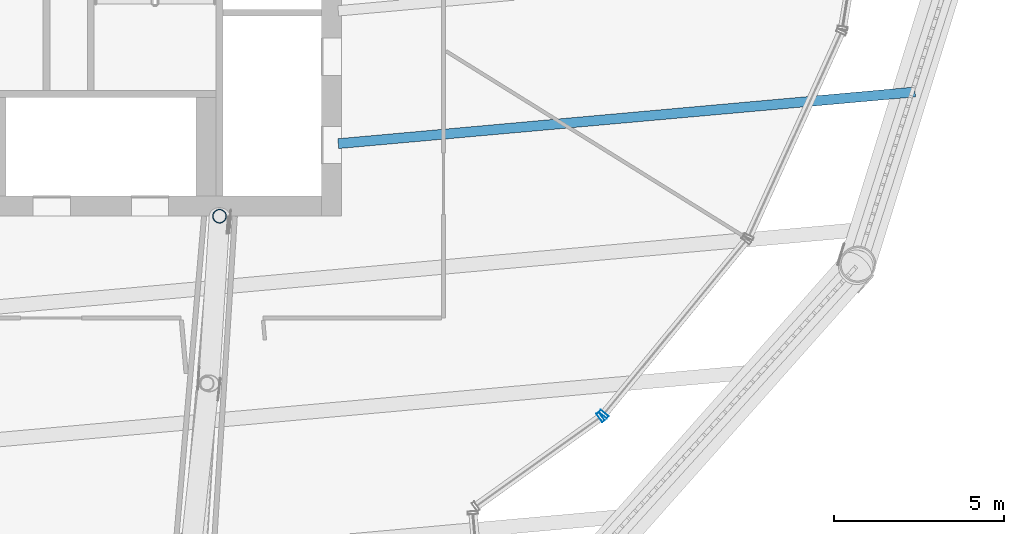
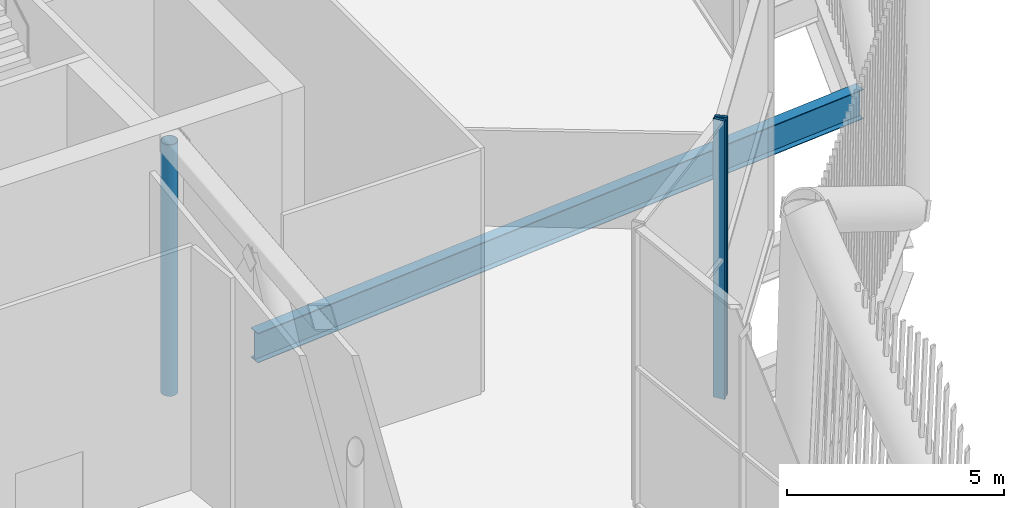
# One storey, part 16 of 55: 3 members, 1 beam, 2 elements without a shape of their own.
"""IFC4 building model written with IfcOpenShell, lengths in metres."""

from ifc_helpers import new_model, si_unit, direction, frame, origin, origin_2d, place, context, subcontext, project, spatial, hollow_rectangle, hollow_circle, i_section, extrude, material, layer, layer_set, material_profile, profile_set, type_object, element, aggregate, save


model = new_model("IFC4")

# Units and contexts
model_context = context("Model", 3, precision=1e-05, world=origin(), true_north=direction((0.0, 1.0)))
body_context = subcontext(model_context, "Body", "Model", "MODEL_VIEW")
ifc_project = project(units=[si_unit("LENGTHUNIT", "METRE"), si_unit("AREAUNIT", "SQUARE_METRE"), si_unit("VOLUMEUNIT", "CUBIC_METRE"), si_unit("PLANEANGLEUNIT", "RADIAN"), si_unit("MASSUNIT", "GRAM", prefix="KILO")], contexts=[model_context])

# Site, building, storey
site_placement = place(None, origin())
site = spatial("IfcSite", under=ifc_project, at=site_placement, CompositionType="ELEMENT")
building_placement = place(site_placement, origin())
building = spatial("IfcBuilding", under=site, at=building_placement, Name="Tarsis Ring Headquarters", CompositionType="ELEMENT")
storey_placement = place(building_placement, frame((0.0, 0.0, 247.199951171875)))
storey = spatial("IfcBuildingStorey", under=building, at=storey_placement, Name="L58", CompositionType="ELEMENT", Elevation=247.199951171875)

# Curtain wall, member
ifc_material_1 = material(Name="Aluminium curtain wall", Category="aluminium")
ifc_layer = layer(ifc_material_1, 0.300048828125)
ifc_layer_set = layer_set([ifc_layer], Name="Curtain wall upper sky lobby")
curtain_wall_type = type_object("IfcCurtainWallType", Name="Curtain wall upper sky lobby", PredefinedType="NOTDEFINED", material=ifc_layer_set)
curtain_wall_1_placement = place(storey_placement, origin())
curtain_wall_1 = element("IfcCurtainWall", 1, at=curtain_wall_1_placement, inside=storey, type_object=curtain_wall_type, Name="Curtain wall L58-17", PredefinedType="NOTDEFINED")
ifc_material_2 = material(Name="Aluminium mullion", Category="aluminium")
ifc_material_profile_1 = material_profile(ifc_material_2, hollow_rectangle(XDim=0.300048828125, YDim=0.090087890625, WallThickness=0.0048828125, at=origin_2d()), Name="RHS 300x90x5")
ifc_profile_set_1 = profile_set([ifc_material_profile_1], Name="Aluminium mullion")
member_type_1 = type_object("IfcMemberType", Name="Curtain wall mullion upper sky lobby RHS 300x90x5", PredefinedType="MULLION", material=ifc_profile_set_1)
member_1_placement = place(storey_placement, frame((17.635498046875, -18.921875, 0.0), z_axis=(0.0, 0.0, 1.0), x_axis=(-0.582406678092, 0.812897571231, 0.0)))
member_1 = element("IfcMember", 2, at=member_1_placement, type_object=member_type_1, Name="CW-U mullion 2", PredefinedType="MULLION", context=body_context, shape_type="SweptSolid", body=[
    extrude(hollow_rectangle(XDim=0.300048828125, YDim=0.090087890625, WallThickness=0.0048828125, at=origin_2d()), origin(), (0.0, 0.0, 1.0), 7.840087890625),
])
aggregate(curtain_wall_1, [member_1])

curtain_wall_2_placement = place(storey_placement, origin())
curtain_wall_2 = element("IfcCurtainWall", 3, at=curtain_wall_2_placement, inside=storey, type_object=curtain_wall_type, Name="Curtain wall L58-18", PredefinedType="NOTDEFINED")
member_2_placement = place(storey_placement, frame((17.724609375, -18.83837890625, 0.0), z_axis=(0.0, 0.0, 1.0), x_axis=(-0.772955112947, 0.634460710658, 0.0)))
member_2 = element("IfcMember", 4, at=member_2_placement, type_object=member_type_1, Name="CW-U mullion 1", PredefinedType="MULLION", context=body_context, shape_type="SweptSolid", body=[
    extrude(hollow_rectangle(XDim=0.300048828125, YDim=0.090087890625, WallThickness=0.0048828125, at=origin_2d()), origin(), (0.0, 0.0, 1.0), 7.840087890625),
])
aggregate(curtain_wall_2, [member_2])

# Beam
ifc_material_3 = material(Name="Structural steel S355", Category="steel")
ifc_material_profile_2 = material_profile(ifc_material_3, i_section(OverallWidth=0.2919921875, OverallDepth=0.835693359375, WebThickness=0.013916015625, FlangeThickness=0.018798828125, at=origin_2d()), Name="W33x118")
ifc_profile_set_2 = profile_set([ifc_material_profile_2], Name="Structural steel S355")
beam_type = type_object("IfcBeamType", Name="FB Floor beam W33x118", PredefinedType="JOIST", material=ifc_profile_set_2)
beam_placement = place(storey_placement, frame((9.900390625, -10.85986328125, -0.7177734375), z_axis=(0.996009452853, 0.089247800128, 0.0), x_axis=(-0.089247800128, 0.996009452853, 0.0)))
element("IfcBeam", 5, at=beam_placement, inside=storey, type_object=beam_type, Name="Floor beam FB7", PredefinedType="JOIST", context=body_context, shape_type="SweptSolid", body=[
    extrude(i_section(OverallWidth=0.2919921875, OverallDepth=0.835693359375, WebThickness=0.013916015625, FlangeThickness=0.018798828125, at=origin_2d()), origin(), (0.0, 0.0, 1.0), 17.0751953125),
])

# Member
ifc_material_profile_3 = material_profile(ifc_material_3, hollow_circle(Radius=0.203125, WallThickness=0.01611328125, at=origin_2d()), Name="CHS 406x16")
ifc_profile_set_3 = profile_set([ifc_material_profile_3], Name="Structural steel S355")
member_type_2 = type_object("IfcMemberType", Name="OV Outrigger post CHS 406x16", PredefinedType="STRUT", material=ifc_profile_set_3)
member_3_placement = place(storey_placement, frame((6.39990234375, -13.0, 0.508056640625), z_axis=(0.0, 0.0, 1.0), x_axis=(1.0, 0.0, 0.0)))
element("IfcMember", 6, at=member_3_placement, inside=storey, type_object=member_type_2, Name="Outrigger post OV1", PredefinedType="STRUT", context=body_context, shape_type="SweptSolid", body=[
    extrude(hollow_circle(Radius=0.203125, WallThickness=0.01611328125, at=origin_2d()), origin(), (0.0, 0.0, 1.0), 7.077880859375),
])

save(model, "model.ifc")
